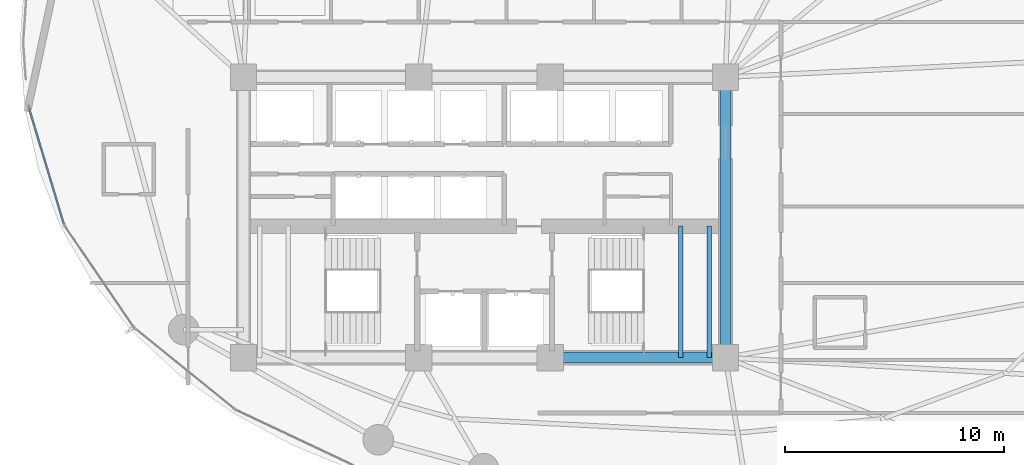
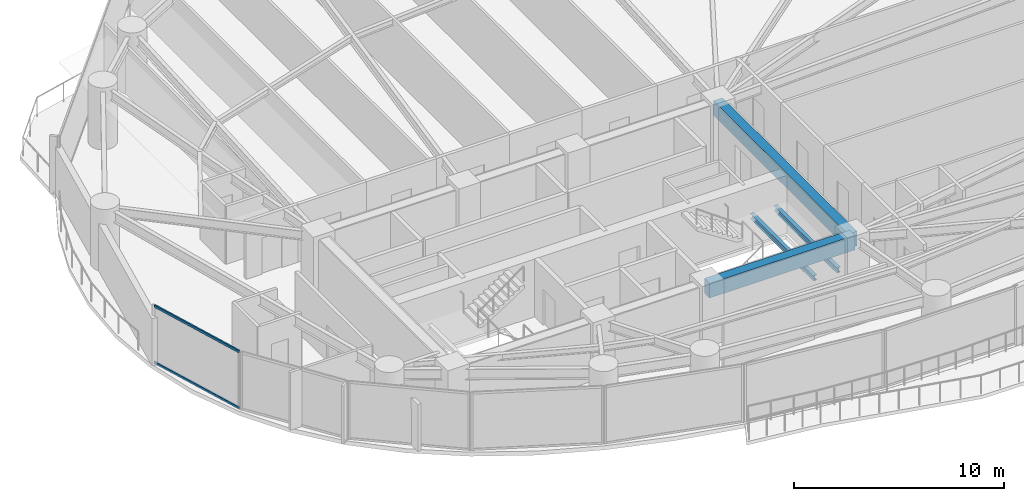
# One storey, part 7 of 32: 4 beams, 2 members, 1 element without a shape of its own.
"""IFC4 building model written with IfcOpenShell, lengths in metres."""

from ifc_helpers import new_model, si_unit, direction, frame, origin, origin_2d, place, context, subcontext, project, spatial, rectangle, hollow_rectangle, i_section, extrude, material, layer, layer_set, material_profile, profile_set, type_object, element, aggregate, save


model = new_model("IFC4")

# Units and contexts
model_context = context("Model", 3, precision=1e-05, world=origin(), true_north=direction((0.0, 1.0)))
body_context = subcontext(model_context, "Body", "Model", "MODEL_VIEW")
ifc_project = project(units=[si_unit("LENGTHUNIT", "METRE"), si_unit("AREAUNIT", "SQUARE_METRE"), si_unit("VOLUMEUNIT", "CUBIC_METRE"), si_unit("PLANEANGLEUNIT", "RADIAN"), si_unit("MASSUNIT", "GRAM", prefix="KILO")], contexts=[model_context])

# Site, building, storey
site_placement = place(None, origin())
site = spatial("IfcSite", under=ifc_project, at=site_placement, CompositionType="ELEMENT")
building_placement = place(site_placement, origin())
building = spatial("IfcBuilding", under=site, at=building_placement, Name="Kazevale Care Tower and Concert Hall", CompositionType="ELEMENT")
storey_placement = place(building_placement, frame((0.0, 0.0, 85.199951171875)))
storey = spatial("IfcBuildingStorey", under=building, at=storey_placement, Name="L22", CompositionType="ELEMENT", Elevation=85.199951171875)

# Curtain wall, members
ifc_material_1 = material(Name="Aluminium 6063-T6 and Low-E Glass", Category="aluminium")
ifc_layer = layer(ifc_material_1, 0.179931640625)
ifc_layer_set = layer_set([ifc_layer], Name="Aluminium 6063-T6 and Low-E Glass")
curtain_wall_type = type_object("IfcCurtainWallType", Name="Waist & Upper Residential Curtain Wall CW-4", PredefinedType="NOTDEFINED", material=ifc_layer_set)
curtain_wall_placement = place(storey_placement, origin())
curtain_wall = element("IfcCurtainWall", 1, at=curtain_wall_placement, inside=storey, type_object=curtain_wall_type, Name="cw:L22:f12", PredefinedType="NOTDEFINED")
ifc_material_2 = material(Name="Aluminium 6063-T6", Category="aluminium")
ifc_material_profile_1 = material_profile(ifc_material_2, hollow_rectangle(XDim=0.080078125, YDim=0.139892578125, WallThickness=0.00390625, at=origin_2d()), Name="ALU80x140x4")
ifc_profile_set_1 = profile_set([ifc_material_profile_1], Name="Aluminium 6063-T6")
member_type = type_object("IfcMemberType", Name="CW-4 Transom ALU80x140x4", PredefinedType="USERDEFINED", material=ifc_profile_set_1)
member_1_placement = place(storey_placement, frame((13.802978515625, 29.715576171875, 0.0400390625), z_axis=(-0.287906465712, 0.957658533613, 0.0), x_axis=(-0.957658533613, -0.287906465712, 0.0)))
member_1 = element("IfcMember", 2, at=member_1_placement, type_object=member_type, Name="CW-4 transom 1.1", ObjectType="TRANSOM", PredefinedType="USERDEFINED", context=body_context, shape_type="SweptSolid", body=[
    extrude(hollow_rectangle(XDim=0.080078125, YDim=0.139892578125, WallThickness=0.00390625, at=origin_2d()), origin(), (0.0, 0.0, 1.0), 5.533203125),
])
member_2_placement = place(storey_placement, frame((13.802978515625, 29.715576171875, 3.320068359375), z_axis=(-0.287906465712, 0.957658533613, 0.0), x_axis=(-0.957658533613, -0.287906465712, 0.0)))
member_2 = element("IfcMember", 3, at=member_2_placement, type_object=member_type, Name="CW-4 transom 1.2", ObjectType="TRANSOM", PredefinedType="USERDEFINED", context=body_context, shape_type="SweptSolid", body=[
    extrude(hollow_rectangle(XDim=0.080078125, YDim=0.139892578125, WallThickness=0.00390625, at=origin_2d()), origin(), (0.0, 0.0, 1.0), 5.533203125),
])
aggregate(curtain_wall, [member_1, member_2])

# Beams
ifc_material_3 = material(Name="Concrete C60", Category="concrete")
ifc_material_profile_2 = material_profile(ifc_material_3, rectangle(XDim=0.5, YDim=0.85009765625, at=origin_2d()), Name="RC-B500x850")
ifc_profile_set_2 = profile_set([ifc_material_profile_2], Name="Concrete C60")
beam_type_1 = type_object("IfcBeamType", Name="Core Coupling Beam RC500x850", PredefinedType="LINTEL", material=ifc_profile_set_2)
beam_1_placement = place(storey_placement, frame((36.0, 23.60009765625, 2.93505859375), z_axis=(1.0, 0.0, 0.0), x_axis=(0.0, 1.0, 0.0)))
element("IfcBeam", 4, at=beam_1_placement, inside=storey, type_object=beam_type_1, Name="beam:L22:coretie:3", PredefinedType="LINTEL", context=body_context, shape_type="SweptSolid", body=[
    extrude(rectangle(XDim=0.5, YDim=0.85009765625, at=origin_2d()), origin(), (0.0, 0.0, 1.0), 8.0),
])
beam_2_placement = place(storey_placement, frame((44.0, 23.60009765625, 2.93505859375), z_axis=(0.0, 1.0, 0.0), x_axis=(-1.0, 0.0, 0.0)))
element("IfcBeam", 5, at=beam_2_placement, inside=storey, type_object=beam_type_1, Name="beam:L22:coretie:4", PredefinedType="LINTEL", context=body_context, shape_type="SweptSolid", body=[
    extrude(rectangle(XDim=0.5, YDim=0.85009765625, at=origin_2d()), origin(), (0.0, 0.0, 1.0), 12.7998046875),
])
ifc_material_4 = material(Name="Steel ASTM A572 Gr 50", Category="steel")
ifc_material_profile_3 = material_profile(ifc_material_4, i_section(OverallWidth=0.202880859375, OverallDepth=0.302978515625, WebThickness=0.007568359375, FlangeThickness=0.01318359375, at=origin_2d()), Name="W310x60")
ifc_profile_set_3 = profile_set([ifc_material_profile_3], Name="Steel ASTM A572 Gr 50")
beam_type_2 = type_object("IfcBeamType", Name="Stair & Balcony Trimmer W310x60", PredefinedType="BEAM", material=ifc_profile_set_3)
for number, where, z_axis, x_axis, name in (
    (6, (41.949951171875, 23.60009765625, 1.448486328125), (0.0, 1.0, 0.0), (-1.0, 0.0, 0.0), "beam:L22:sttrim:ST2"),
    (7, (43.25, 23.60009765625, 1.448486328125), (0.0, 1.0, 0.0), (-1.0, 0.0, 0.0), "beam:L22:sttrim:ST2b"),
):
    element("IfcBeam", number, at=place(storey_placement, frame(where, z_axis=z_axis, x_axis=x_axis)), inside=storey, type_object=beam_type_2, Name=name, PredefinedType="BEAM", context=body_context, shape_type="SweptSolid", body=[
        extrude(i_section(OverallWidth=0.202880859375, OverallDepth=0.302978515625, WebThickness=0.007568359375, FlangeThickness=0.01318359375, at=origin_2d()), origin(), (0.0, 0.0, 1.0), 6.0),
    ])

save(model, "model.ifc")
